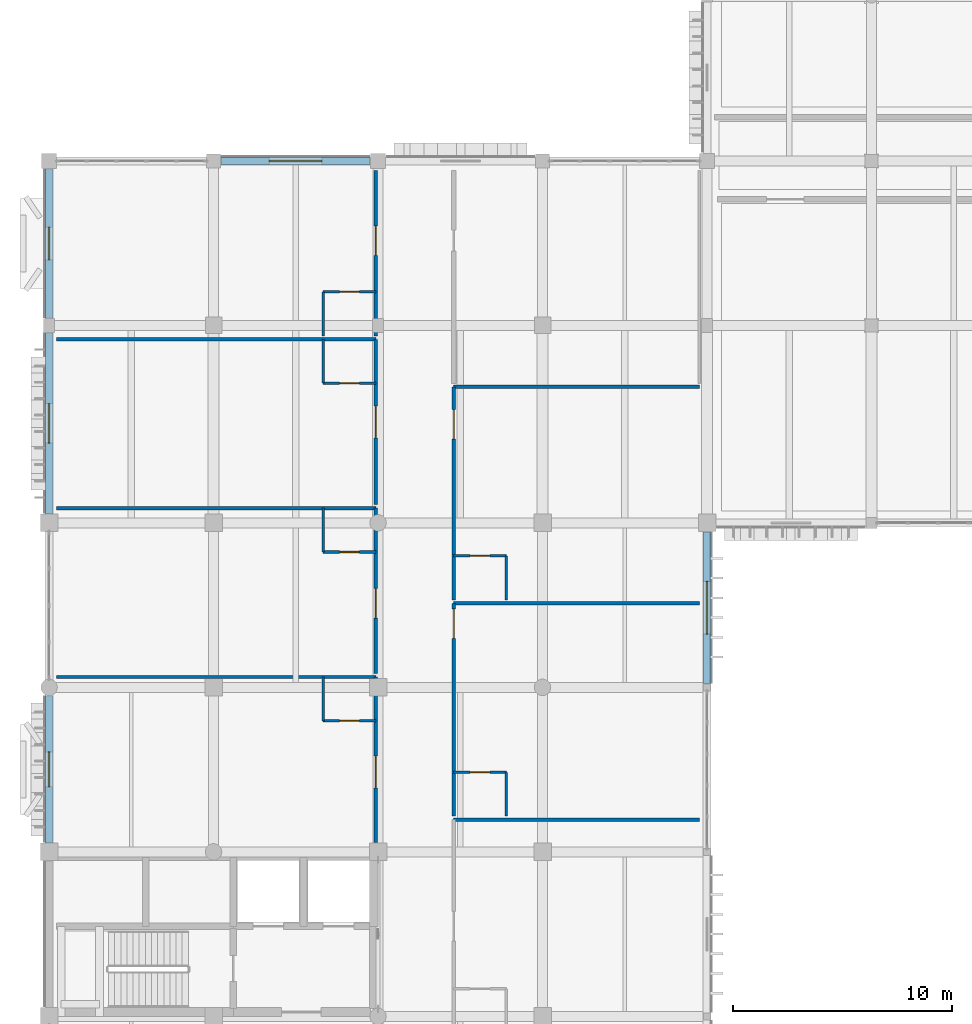
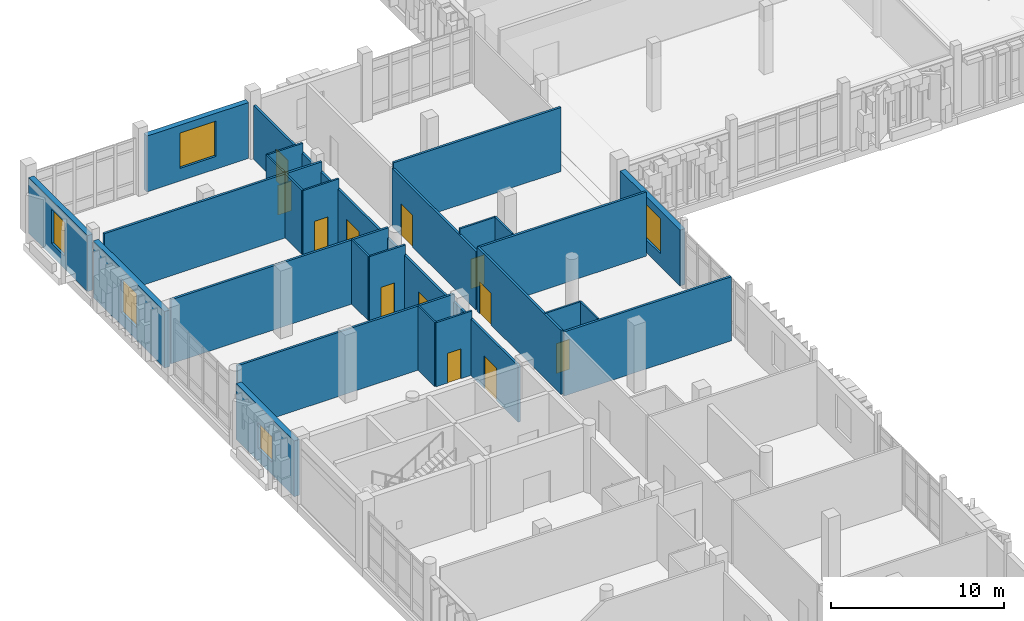
# One storey, part 103 of 131: 29 walls, 12 doors, 5 windows, 17 openings.
"""IFC4 building model written with IfcOpenShell, lengths in metres."""

from ifc_helpers import new_model, si_unit, direction, frame, frame_2d, origin, place, context, subcontext, project, spatial, rectangle, extrude, material, layer, layer_set, type_object, element, fill, save


model = new_model("IFC4")

# Units and contexts
model_context = context("Model", 3, precision=1e-05, world=origin(), true_north=direction((0.0, 1.0)))
body_context = subcontext(model_context, "Body", "Model", "MODEL_VIEW")
ifc_project = project(units=[si_unit("LENGTHUNIT", "METRE"), si_unit("AREAUNIT", "SQUARE_METRE"), si_unit("VOLUMEUNIT", "CUBIC_METRE"), si_unit("PLANEANGLEUNIT", "RADIAN"), si_unit("MASSUNIT", "GRAM", prefix="KILO")], contexts=[model_context])

# Site, building, storey
site_placement = place(None, origin())
site = spatial("IfcSite", under=ifc_project, at=site_placement, CompositionType="ELEMENT")
building_placement = place(site_placement, origin())
building = spatial("IfcBuilding", under=site, at=building_placement, Name="Dalvernix Boulevard General Hospital", CompositionType="ELEMENT")
storey_placement = place(building_placement, frame((0.0, 0.0, 9.300048828125)))
storey = spatial("IfcBuildingStorey", under=building, at=storey_placement, Name="L02", CompositionType="ELEMENT", Elevation=9.300048828125)

# Wall, opening, window
ifc_material_1 = material(Name="Pressed Catalan clay brick and insulated concrete cavity wall C35/45", Category="masonry")
ifc_layer_1 = layer(ifc_material_1, 0.35009765625)
ifc_layer_set_1 = layer_set([ifc_layer_1], Name="Pressed Catalan clay brick and insulated concrete cavity wall C35/45 (WAL-EW-01)")
wall_type_1 = type_object("IfcWallType", Name="WAL-EW-01", PredefinedType="STANDARD", material=ifc_layer_set_1)
wall_1_placement = place(storey_placement, frame((0.0, 61.909912109375, 0.0), z_axis=(0.0, 0.0, 1.0), x_axis=(0.0, 1.0, 0.0)))
wall_1 = element("IfcWall", 1, at=wall_1_placement, inside=storey, type_object=wall_type_1, Name="L02 Catalan brick external wall W 0-8", PredefinedType="STANDARD", context=body_context, shape_type="SweptSolid", body=[
    extrude(rectangle(XDim=6.705078125, YDim=0.35009765625, at=frame_2d((3.3525390625, 0.0))), origin(), (0.0, 0.0, 1.0), 3.949951171875),
])
opening_1_placement = place(wall_1_placement, frame((2.552490234375, 0.0, 0.89990234375)))
opening_1 = element("IfcOpeningElement", 2, at=opening_1_placement, cuts=wall_1, Name="Opening WN-15", PredefinedType="OPENING", context=body_context, shape_type="SweptSolid", body=[
    extrude(rectangle(XDim=1.60009765625, YDim=1.800048828125, at=frame_2d((0.800048828125, 0.89990234375))), frame((0.0, 0.18505859375, 0.0), z_axis=(0.0, -1.0, 0.0), x_axis=(1.0, 0.0, 0.0)), (0.0, 0.0, 1.0), 0.3701171875),
])
ifc_material_2 = material(Name="Thermally broken aluminium frame with solar-control double glazing", Category="aluminium")
window_type_1 = type_object("IfcWindowType", Name="WIN-WN-15", PartitioningType="SINGLE_PANEL", PredefinedType="WINDOW", material=ifc_material_2)
window_1_placement = place(opening_1_placement, origin())
window_1 = element("IfcWindow", 3, at=window_1_placement, inside=storey, type_object=window_type_1, Name="L02 clinical window WN-15 W 0-8", OverallHeight=1.800048828125, OverallWidth=1.60009765625, PartitioningType="SINGLE_PANEL", PredefinedType="WINDOW", context=body_context, shape_type="SweptSolid", body=[
    extrude(rectangle(XDim=1.60009765625, YDim=1.800048828125, at=frame_2d((0.800048828125, 0.89990234375))), frame((0.0, 0.030029296875, 0.0), z_axis=(0.0, -1.0, 0.0), x_axis=(1.0, 0.0, 0.0)), (0.0, 0.0, 1.0), 0.06005859375),
])
fill(opening_1, window_1)

wall_2_placement = place(storey_placement, frame((0.0, 76.909912109375, 0.0), z_axis=(0.0, 0.0, 1.0), x_axis=(0.0, 1.0, 0.0)))
wall_2 = element("IfcWall", 4, at=wall_2_placement, inside=storey, type_object=wall_type_1, Name="L02 Catalan brick external wall W 0-10", PredefinedType="STANDARD", context=body_context, shape_type="SweptSolid", body=[
    extrude(rectangle(XDim=8.255126953125, YDim=0.35009765625, at=frame_2d((4.12744140625, 0.0))), origin(), (0.0, 0.0, 1.0), 4.0),
])
opening_2_placement = place(wall_2_placement, frame((3.2275390625, 0.0, 0.89990234375)))
opening_2 = element("IfcOpeningElement", 5, at=opening_2_placement, cuts=wall_2, Name="Opening WN-01", PredefinedType="OPENING", context=body_context, shape_type="SweptSolid", body=[
    extrude(rectangle(XDim=1.800048828125, YDim=2.39990234375, at=frame_2d((0.89990234375, 1.199951171875))), frame((0.0, 0.18505859375, 0.0), z_axis=(0.0, -1.0, 0.0), x_axis=(1.0, 0.0, 0.0)), (0.0, 0.0, 1.0), 0.3701171875),
])
window_type_2 = type_object("IfcWindowType", Name="WIN-WN-01", PartitioningType="SINGLE_PANEL", PredefinedType="WINDOW", material=ifc_material_2)
window_2_placement = place(opening_2_placement, origin())
window_2 = element("IfcWindow", 6, at=window_2_placement, inside=storey, type_object=window_type_2, Name="L02 clinical window WN-01 W 0-10", OverallHeight=2.39990234375, OverallWidth=1.800048828125, PartitioningType="SINGLE_PANEL", PredefinedType="WINDOW", context=body_context, shape_type="SweptSolid", body=[
    extrude(rectangle(XDim=1.800048828125, YDim=2.39990234375, at=frame_2d((0.89990234375, 1.199951171875))), frame((0.0, 0.030029296875, 0.0), z_axis=(0.0, -1.0, 0.0), x_axis=(1.0, 0.0, 0.0)), (0.0, 0.0, 1.0), 0.06005859375),
])
fill(opening_2, window_2)

wall_3_placement = place(storey_placement, frame((0.0, 85.8349609375, 0.0), z_axis=(0.0, 0.0, 1.0), x_axis=(0.0, 1.0, 0.0)))
wall_3 = element("IfcWall", 7, at=wall_3_placement, inside=storey, type_object=wall_type_1, Name="L02 Catalan brick external wall W 0-11", PredefinedType="STANDARD", context=body_context, shape_type="SweptSolid", body=[
    extrude(rectangle(XDim=6.804931640625, YDim=0.35009765625, at=frame_2d((3.40234375, 0.0))), origin(), (0.0, 0.0, 1.0), 3.949951171875),
])
opening_3_placement = place(wall_3_placement, frame((2.652587890625, 0.0, 0.89990234375)))
opening_3 = element("IfcOpeningElement", 8, at=opening_3_placement, cuts=wall_3, Name="Opening WN-02", PredefinedType="OPENING", context=body_context, shape_type="SweptSolid", body=[
    extrude(rectangle(XDim=1.5, YDim=2.39990234375, at=frame_2d((0.75, 1.199951171875))), frame((0.0, 0.18505859375, 0.0), z_axis=(0.0, -1.0, 0.0), x_axis=(1.0, 0.0, 0.0)), (0.0, 0.0, 1.0), 0.3701171875),
])
window_type_3 = type_object("IfcWindowType", Name="WIN-WN-02", PartitioningType="SINGLE_PANEL", PredefinedType="WINDOW", material=ifc_material_2)
window_3_placement = place(opening_3_placement, origin())
window_3 = element("IfcWindow", 9, at=window_3_placement, inside=storey, type_object=window_type_3, Name="L02 clinical window WN-02 W 0-11", OverallHeight=2.39990234375, OverallWidth=1.5, PartitioningType="SINGLE_PANEL", PredefinedType="WINDOW", context=body_context, shape_type="SweptSolid", body=[
    extrude(rectangle(XDim=1.5, YDim=2.39990234375, at=frame_2d((0.75, 1.199951171875))), frame((0.0, 0.030029296875, 0.0), z_axis=(0.0, -1.0, 0.0), x_axis=(1.0, 0.0, 0.0)), (0.0, 0.0, 1.0), 0.06005859375),
])
fill(opening_3, window_3)

wall_4_placement = place(storey_placement, frame((7.8349609375, 93.0, 0.0), z_axis=(0.0, 0.0, 1.0), x_axis=(1.0, 0.0, 0.0)))
wall_4 = element("IfcWall", 10, at=wall_4_placement, inside=storey, type_object=wall_type_1, Name="L02 Catalan brick external wall N 1-12", PredefinedType="STANDARD", context=body_context, shape_type="SweptSolid", body=[
    extrude(rectangle(XDim=6.804931640625, YDim=0.35009765625, at=frame_2d((3.40234375, 0.0))), origin(), (0.0, 0.0, 1.0), 3.949951171875),
])
opening_4_placement = place(wall_4_placement, frame((2.202392578125, 0.0, 0.89990234375)))
opening_4 = element("IfcOpeningElement", 11, at=opening_4_placement, cuts=wall_4, Name="Opening WN-04", PredefinedType="OPENING", context=body_context, shape_type="SweptSolid", body=[
    extrude(rectangle(XDim=2.39990234375, YDim=2.5, at=frame_2d((1.199951171875, 1.25))), frame((0.0, 0.18505859375, 0.0), z_axis=(0.0, -1.0, 0.0), x_axis=(1.0, 0.0, 0.0)), (0.0, 0.0, 1.0), 0.3701171875),
])
window_type_4 = type_object("IfcWindowType", Name="WIN-WN-04", PartitioningType="SINGLE_PANEL", PredefinedType="WINDOW", material=ifc_material_2)
window_4_placement = place(opening_4_placement, origin())
window_4 = element("IfcWindow", 12, at=window_4_placement, inside=storey, type_object=window_type_4, Name="L02 clinical window WN-04 N 1-12", OverallHeight=2.5, OverallWidth=2.39990234375, PartitioningType="SINGLE_PANEL", PredefinedType="WINDOW", context=body_context, shape_type="SweptSolid", body=[
    extrude(rectangle(XDim=2.39990234375, YDim=2.5, at=frame_2d((1.199951171875, 1.25))), frame((0.0, 0.030029296875, 0.0), z_axis=(0.0, -1.0, 0.0), x_axis=(1.0, 0.0, 0.0)), (0.0, 0.0, 1.0), 0.06005859375),
])
fill(opening_4, window_4)

wall_5_placement = place(storey_placement, frame((30.0, 76.090087890625, 0.0), z_axis=(0.0, 0.0, 1.0), x_axis=(0.0, -1.0, 0.0)))
wall_5 = element("IfcWall", 13, at=wall_5_placement, inside=storey, type_object=wall_type_1, Name="L02 Catalan brick external wall E 4-9", PredefinedType="STANDARD", context=body_context, shape_type="SweptSolid", body=[
    extrude(rectangle(XDim=6.920166015625, YDim=0.35009765625, at=frame_2d((3.4599609375, 0.0))), origin(), (0.0, 0.0, 1.0), 3.949951171875),
])
opening_5_placement = place(wall_5_placement, frame((2.260009765625, 0.0, 0.89990234375)))
opening_5 = element("IfcOpeningElement", 14, at=opening_5_placement, cuts=wall_5, Name="Opening WN-04", PredefinedType="OPENING", context=body_context, shape_type="SweptSolid", body=[
    extrude(rectangle(XDim=2.39990234375, YDim=2.5, at=frame_2d((1.199951171875, 1.25))), frame((0.0, 0.18505859375, 0.0), z_axis=(0.0, -1.0, 0.0), x_axis=(1.0, 0.0, 0.0)), (0.0, 0.0, 1.0), 0.3701171875),
])
window_5_placement = place(opening_5_placement, origin())
window_5 = element("IfcWindow", 15, at=window_5_placement, inside=storey, type_object=window_type_4, Name="L02 clinical window WN-04 E 4-9", OverallHeight=2.5, OverallWidth=2.39990234375, PartitioningType="SINGLE_PANEL", PredefinedType="WINDOW", context=body_context, shape_type="SweptSolid", body=[
    extrude(rectangle(XDim=2.39990234375, YDim=2.5, at=frame_2d((1.199951171875, 1.25))), frame((0.0, 0.030029296875, 0.0), z_axis=(0.0, -1.0, 0.0), x_axis=(1.0, 0.0, 0.0)), (0.0, 0.0, 1.0), 0.06005859375),
])
fill(opening_5, window_5)

# Wall, opening, door
ifc_material_3 = material(Name="Acoustic double-stud gypsum inpatient partition")
ifc_layer_2 = layer(ifc_material_3, 0.14990234375)
ifc_layer_set_2 = layer_set([ifc_layer_2], Name="Acoustic double-stud gypsum inpatient partition (WAL-IW-04)")
wall_type_2 = type_object("IfcWallType", Name="WAL-IW-04", PredefinedType="PARTITIONING", material=ifc_layer_set_2)
wall_6_placement = place(storey_placement, frame((14.89990234375, 61.929931640625, 0.0), z_axis=(0.0, 0.0, 1.0), x_axis=(0.0, 1.0, 0.0)))
wall_6 = element("IfcWall", 16, at=wall_6_placement, inside=storey, type_object=wall_type_2, Name="L02 Four Bed Observation Ward L02-W07 corridor wall", PredefinedType="PARTITIONING", context=body_context, shape_type="SweptSolid", body=[
    extrude(rectangle(XDim=7.5400390625, YDim=0.14990234375, at=frame_2d((3.77001953125, 0.0))), origin(), (0.0, 0.0, 1.0), 3.98486328125),
])
opening_6_placement = place(wall_6_placement, frame((2.486083984375, 0.0, 0.0)))
opening_6 = element("IfcOpeningElement", 17, at=opening_6_placement, cuts=wall_6, Name="Opening ID-02", PredefinedType="OPENING", context=body_context, shape_type="SweptSolid", body=[
    extrude(rectangle(XDim=1.449951171875, YDim=2.300048828125, at=frame_2d((0.72509765625, 1.14990234375))), frame((0.0, 0.0849609375, 0.0), z_axis=(0.0, -1.0, 0.0), x_axis=(1.0, 0.0, 0.0)), (0.0, 0.0, 1.0), 0.169921875),
])
ifc_material_4 = material(Name="Hospital laminate acoustic timber and steel frame", Category="steel")
door_type_1 = type_object("IfcDoorType", Name="DR-ID-02", OperationType="NOTDEFINED", PredefinedType="DOOR", material=ifc_material_4)
door_1_placement = place(opening_6_placement, origin())
door_1 = element("IfcDoor", 18, at=door_1_placement, inside=storey, type_object=door_type_1, Name="L02 Four Bed Observation Ward L02-W07 door", OperationType="SINGLE_SWING_LEFT", OverallHeight=2.300048828125, OverallWidth=1.449951171875, PredefinedType="DOOR", context=body_context, shape_type="SweptSolid", body=[
    extrude(rectangle(XDim=1.449951171875, YDim=2.300048828125, at=frame_2d((0.72509765625, 1.14990234375))), frame((0.0, 0.02490234375, 0.0), z_axis=(0.0, -1.0, 0.0), x_axis=(1.0, 0.0, 0.0)), (0.0, 0.0, 1.0), 0.050048828125),
])
fill(opening_6, door_1)

wall_7_placement = place(storey_placement, frame((14.89990234375, 69.6298828125, 0.0), z_axis=(0.0, 0.0, 1.0), x_axis=(0.0, 1.0, 0.0)))
wall_7 = element("IfcWall", 19, at=wall_7_placement, inside=storey, type_object=wall_type_2, Name="L02 Acute Observation Patient Room L02-W08 corridor wall", PredefinedType="PARTITIONING", context=body_context, shape_type="SweptSolid", body=[
    extrude(rectangle(XDim=7.5400390625, YDim=0.14990234375, at=frame_2d((3.77001953125, 0.0))), origin(), (0.0, 0.0, 1.0), 3.8349609375),
])
opening_7_placement = place(wall_7_placement, frame((2.52587890625, 0.0, 0.0)))
opening_7 = element("IfcOpeningElement", 20, at=opening_7_placement, cuts=wall_7, Name="Opening ID-01", PredefinedType="OPENING", context=body_context, shape_type="SweptSolid", body=[
    extrude(rectangle(XDim=1.35009765625, YDim=2.25, at=frame_2d((0.675048828125, 1.125))), frame((0.0, 0.0849609375, 0.0), z_axis=(0.0, -1.0, 0.0), x_axis=(1.0, 0.0, 0.0)), (0.0, 0.0, 1.0), 0.169921875),
])
door_type_2 = type_object("IfcDoorType", Name="DR-ID-01", OperationType="NOTDEFINED", PredefinedType="DOOR", material=ifc_material_4)
door_2_placement = place(opening_7_placement, origin())
door_2 = element("IfcDoor", 21, at=door_2_placement, inside=storey, type_object=door_type_2, Name="L02 Acute Observation Patient Room L02-W08 door", OperationType="SINGLE_SWING_LEFT", OverallHeight=2.25, OverallWidth=1.35009765625, PredefinedType="DOOR", context=body_context, shape_type="SweptSolid", body=[
    extrude(rectangle(XDim=1.35009765625, YDim=2.25, at=frame_2d((0.675048828125, 1.125))), frame((0.0, 0.02490234375, 0.0), z_axis=(0.0, -1.0, 0.0), x_axis=(1.0, 0.0, 0.0)), (0.0, 0.0, 1.0), 0.050048828125),
])
fill(opening_7, door_2)

wall_8_placement = place(storey_placement, frame((14.89990234375, 77.330078125, 0.0), z_axis=(0.0, 0.0, 1.0), x_axis=(0.0, 1.0, 0.0)))
wall_8 = element("IfcWall", 22, at=wall_8_placement, inside=storey, type_object=wall_type_2, Name="L02 Four Bed Observation Ward L02-W09 corridor wall", PredefinedType="PARTITIONING", context=body_context, shape_type="SweptSolid", body=[
    extrude(rectangle(XDim=7.5400390625, YDim=0.14990234375, at=frame_2d((3.77001953125, 0.0))), origin(), (0.0, 0.0, 1.0), 3.8349609375),
])
opening_8_placement = place(wall_8_placement, frame((3.044921875, 0.0, 0.0)))
opening_8 = element("IfcOpeningElement", 23, at=opening_8_placement, cuts=wall_8, Name="Opening ID-02", PredefinedType="OPENING", context=body_context, shape_type="SweptSolid", body=[
    extrude(rectangle(XDim=1.449951171875, YDim=2.300048828125, at=frame_2d((0.72509765625, 1.14990234375))), frame((0.0, 0.0849609375, 0.0), z_axis=(0.0, -1.0, 0.0), x_axis=(1.0, 0.0, 0.0)), (0.0, 0.0, 1.0), 0.169921875),
])
door_3_placement = place(opening_8_placement, origin())
door_3 = element("IfcDoor", 24, at=door_3_placement, inside=storey, type_object=door_type_1, Name="L02 Four Bed Observation Ward L02-W09 door", OperationType="SINGLE_SWING_LEFT", OverallHeight=2.300048828125, OverallWidth=1.449951171875, PredefinedType="DOOR", context=body_context, shape_type="SweptSolid", body=[
    extrude(rectangle(XDim=1.449951171875, YDim=2.300048828125, at=frame_2d((0.72509765625, 1.14990234375))), frame((0.0, 0.02490234375, 0.0), z_axis=(0.0, -1.0, 0.0), x_axis=(1.0, 0.0, 0.0)), (0.0, 0.0, 1.0), 0.050048828125),
])
fill(opening_8, door_3)

wall_9_placement = place(storey_placement, frame((14.89990234375, 85.030029296875, 0.0), z_axis=(0.0, 0.0, 1.0), x_axis=(0.0, 1.0, 0.0)))
wall_9 = element("IfcWall", 25, at=wall_9_placement, inside=storey, type_object=wall_type_2, Name="L02 Acute Observation Patient Room L02-W10 corridor wall", PredefinedType="PARTITIONING", context=body_context, shape_type="SweptSolid", body=[
    extrude(rectangle(XDim=7.5400390625, YDim=0.14990234375, at=frame_2d((3.77001953125, 0.0))), origin(), (0.0, 0.0, 1.0), 3.8349609375),
])
opening_9_placement = place(wall_9_placement, frame((3.6640625, 0.0, 0.0)))
opening_9 = element("IfcOpeningElement", 26, at=opening_9_placement, cuts=wall_9, Name="Opening ID-01", PredefinedType="OPENING", context=body_context, shape_type="SweptSolid", body=[
    extrude(rectangle(XDim=1.35009765625, YDim=2.25, at=frame_2d((0.675048828125, 1.125))), frame((0.0, 0.0849609375, 0.0), z_axis=(0.0, -1.0, 0.0), x_axis=(1.0, 0.0, 0.0)), (0.0, 0.0, 1.0), 0.169921875),
])
door_4_placement = place(opening_9_placement, origin())
door_4 = element("IfcDoor", 27, at=door_4_placement, inside=storey, type_object=door_type_2, Name="L02 Acute Observation Patient Room L02-W10 door", OperationType="SINGLE_SWING_LEFT", OverallHeight=2.25, OverallWidth=1.35009765625, PredefinedType="DOOR", context=body_context, shape_type="SweptSolid", body=[
    extrude(rectangle(XDim=1.35009765625, YDim=2.25, at=frame_2d((0.675048828125, 1.125))), frame((0.0, 0.02490234375, 0.0), z_axis=(0.0, -1.0, 0.0), x_axis=(1.0, 0.0, 0.0)), (0.0, 0.0, 1.0), 0.050048828125),
])
fill(opening_9, door_4)

wall_10_placement = place(storey_placement, frame((18.449951171875, 72.83251953125, 0.0), z_axis=(0.0, 0.0, 1.0), x_axis=(0.0, -1.0, 0.0)))
wall_10 = element("IfcWall", 28, at=wall_10_placement, inside=storey, type_object=wall_type_2, Name="L02 Single Patient Room L02-E05 corridor wall", PredefinedType="PARTITIONING", context=body_context, shape_type="SweptSolid", body=[
    extrude(rectangle(XDim=9.708740234375, YDim=0.14990234375, at=frame_2d((4.8544921875, 0.0))), origin(), (0.0, 0.0, 1.0), 4.534912109375),
])
opening_10_placement = place(wall_10_placement, frame((0.25, 0.0, 0.0)))
opening_10 = element("IfcOpeningElement", 29, at=opening_10_placement, cuts=wall_10, Name="Opening ID-01", PredefinedType="OPENING", context=body_context, shape_type="SweptSolid", body=[
    extrude(rectangle(XDim=1.35009765625, YDim=2.25, at=frame_2d((0.675048828125, 1.125))), frame((0.0, 0.0849609375, 0.0), z_axis=(0.0, -1.0, 0.0), x_axis=(1.0, 0.0, 0.0)), (0.0, 0.0, 1.0), 0.169921875),
])
door_5_placement = place(opening_10_placement, origin())
door_5 = element("IfcDoor", 30, at=door_5_placement, inside=storey, type_object=door_type_2, Name="L02 Single Patient Room L02-E05 door", OperationType="SINGLE_SWING_RIGHT", OverallHeight=2.25, OverallWidth=1.35009765625, PredefinedType="DOOR", context=body_context, shape_type="SweptSolid", body=[
    extrude(rectangle(XDim=1.35009765625, YDim=2.25, at=frame_2d((0.675048828125, 1.125))), frame((0.0, 0.02490234375, 0.0), z_axis=(0.0, -1.0, 0.0), x_axis=(1.0, 0.0, 0.0)), (0.0, 0.0, 1.0), 0.050048828125),
])
fill(opening_10, door_5)

wall_11_placement = place(storey_placement, frame((18.449951171875, 82.701416015625, 0.0), z_axis=(0.0, 0.0, 1.0), x_axis=(0.0, -1.0, 0.0)))
wall_11 = element("IfcWall", 31, at=wall_11_placement, inside=storey, type_object=wall_type_2, Name="L02 Single Patient Room L02-E06 corridor wall", PredefinedType="PARTITIONING", context=body_context, shape_type="SweptSolid", body=[
    extrude(rectangle(XDim=9.708984375, YDim=0.14990234375, at=frame_2d((4.8544921875, 0.0))), origin(), (0.0, 0.0, 1.0), 4.135009765625),
])
opening_11_placement = place(wall_11_placement, frame((1.035888671875, 0.0, 0.0)))
opening_11 = element("IfcOpeningElement", 32, at=opening_11_placement, cuts=wall_11, Name="Opening ID-01", PredefinedType="OPENING", context=body_context, shape_type="SweptSolid", body=[
    extrude(rectangle(XDim=1.35009765625, YDim=2.25, at=frame_2d((0.675048828125, 1.125))), frame((0.0, 0.0849609375, 0.0), z_axis=(0.0, -1.0, 0.0), x_axis=(1.0, 0.0, 0.0)), (0.0, 0.0, 1.0), 0.169921875),
])
door_6_placement = place(opening_11_placement, origin())
door_6 = element("IfcDoor", 33, at=door_6_placement, inside=storey, type_object=door_type_2, Name="L02 Single Patient Room L02-E06 door", OperationType="SINGLE_SWING_RIGHT", OverallHeight=2.25, OverallWidth=1.35009765625, PredefinedType="DOOR", context=body_context, shape_type="SweptSolid", body=[
    extrude(rectangle(XDim=1.35009765625, YDim=2.25, at=frame_2d((0.675048828125, 1.125))), frame((0.0, 0.02490234375, 0.0), z_axis=(0.0, -1.0, 0.0), x_axis=(1.0, 0.0, 0.0)), (0.0, 0.0, 1.0), 0.050048828125),
])
fill(opening_11, door_6)

# Walls
for number, where, z_axis, x_axis, name in (
    (34, (0.35009765625, 69.469970703125, 0.0), (0.0, 0.0, 1.0), (1.0, 0.0, 0.0), "L02 Four Bed Observation Ward L02-W07 partition"),
    (35, (0.35009765625, 77.169921875, 0.0), (0.0, 0.0, 1.0), (1.0, 0.0, 0.0), "L02 Acute Observation Patient Room L02-W08 partition"),
    (36, (0.35009765625, 84.8701171875, 0.0), (0.0, 0.0, 1.0), (1.0, 0.0, 0.0), "L02 Four Bed Observation Ward L02-W09 partition"),
):
    element("IfcWall", number, at=place(storey_placement, frame(where, z_axis=z_axis, x_axis=x_axis)), inside=storey, type_object=wall_type_2, Name=name, PredefinedType="PARTITIONING", context=body_context, shape_type="SweptSolid", body=[
        extrude(rectangle(XDim=14.5498046875, YDim=0.14990234375, at=frame_2d((7.27490234375, 0.0))), origin(), (0.0, 0.0, 1.0), 4.534912109375),
    ])
for number, where, z_axis, x_axis, name in (
    (37, (18.449951171875, 62.9638671875, 0.0), (0.0, 0.0, 1.0), (1.0, 0.0, 0.0), "L02 Single Patient Room L02-E04 partition"),
    (38, (18.449951171875, 72.83251953125, 0.0), (0.0, 0.0, 1.0), (1.0, 0.0, 0.0), "L02 Single Patient Room L02-E05 partition"),
    (39, (18.449951171875, 82.701416015625, 0.0), (0.0, 0.0, 1.0), (1.0, 0.0, 0.0), "L02 Single Patient Room L02-E06 partition"),
):
    element("IfcWall", number, at=place(storey_placement, frame(where, z_axis=z_axis, x_axis=x_axis)), inside=storey, type_object=wall_type_2, Name=name, PredefinedType="PARTITIONING", context=body_context, shape_type="SweptSolid", body=[
        extrude(rectangle(XDim=11.199951171875, YDim=0.14990234375, at=frame_2d((5.60009765625, 0.0))), origin(), (0.0, 0.0, 1.0), 4.534912109375),
    ])

# Wall, opening, door
ifc_material_5 = material(Name="Moisture-resistant en-suite bathroom partition")
ifc_layer_3 = layer(ifc_material_5, 0.1201171875)
ifc_layer_set_3 = layer_set([ifc_layer_3], Name="Moisture-resistant en-suite bathroom partition (WAL-IW-05)")
wall_type_3 = type_object("IfcWallType", Name="WAL-IW-05", PredefinedType="PARTITIONING", material=ifc_layer_set_3)
wall_12_placement = place(storey_placement, frame((12.5, 67.469970703125, 0.0), z_axis=(0.0, 0.0, 1.0), x_axis=(1.0, 0.0, 0.0)))
wall_12 = element("IfcWall", 40, at=wall_12_placement, inside=storey, type_object=wall_type_3, Name="L02 en-suite bathroom door wall", PredefinedType="PARTITIONING", context=body_context, shape_type="SweptSolid", body=[
    extrude(rectangle(XDim=2.39990234375, YDim=0.1201171875, at=frame_2d((1.199951171875, 0.0))), origin(), (0.0, 0.0, 1.0), 4.534912109375),
])
opening_12_placement = place(wall_12_placement, frame((0.75, 0.0, 0.0)))
opening_12 = element("IfcOpeningElement", 41, at=opening_12_placement, cuts=wall_12, Name="Opening ID-05", PredefinedType="OPENING", context=body_context, shape_type="SweptSolid", body=[
    extrude(rectangle(XDim=0.89990234375, YDim=2.10009765625, at=frame_2d((0.449951171875, 1.050048828125))), frame((0.0, 0.070068359375, 0.0), z_axis=(0.0, -1.0, 0.0), x_axis=(1.0, 0.0, 0.0)), (0.0, 0.0, 1.0), 0.14013671875),
])
door_type_3 = type_object("IfcDoorType", Name="DR-ID-05", OperationType="NOTDEFINED", PredefinedType="DOOR", material=ifc_material_4)
door_7_placement = place(opening_12_placement, origin())
door_7 = element("IfcDoor", 42, at=door_7_placement, inside=storey, type_object=door_type_3, Name="L02 L02-WRD-W07 en-suite bathroom door", OperationType="SINGLE_SWING_RIGHT", OverallHeight=2.10009765625, OverallWidth=0.89990234375, PredefinedType="DOOR", context=body_context, shape_type="SweptSolid", body=[
    extrude(rectangle(XDim=0.89990234375, YDim=2.10009765625, at=frame_2d((0.449951171875, 1.050048828125))), frame((0.0, 0.02490234375, 0.0), z_axis=(0.0, -1.0, 0.0), x_axis=(1.0, 0.0, 0.0)), (0.0, 0.0, 1.0), 0.050048828125),
])
fill(opening_12, door_7)

# Wall
wall_13_placement = place(storey_placement, frame((12.5, 67.469970703125, 0.0), z_axis=(0.0, 0.0, 1.0), x_axis=(0.0, 1.0, 0.0)))
element("IfcWall", 43, at=wall_13_placement, inside=storey, type_object=wall_type_3, Name="L02 en-suite bathroom side wall", PredefinedType="PARTITIONING", context=body_context, shape_type="SweptSolid", body=[
    extrude(rectangle(XDim=2.0, YDim=0.1201171875, at=frame_2d((1.0, 0.0))), origin(), (0.0, 0.0, 1.0), 4.534912109375),
])

# Wall, opening, door
wall_14_placement = place(storey_placement, frame((12.5, 75.169921875, 0.0), z_axis=(0.0, 0.0, 1.0), x_axis=(1.0, 0.0, 0.0)))
wall_14 = element("IfcWall", 44, at=wall_14_placement, inside=storey, type_object=wall_type_3, Name="L02 en-suite bathroom door wall", PredefinedType="PARTITIONING", context=body_context, shape_type="SweptSolid", body=[
    extrude(rectangle(XDim=2.39990234375, YDim=0.1201171875, at=frame_2d((1.199951171875, 0.0))), origin(), (0.0, 0.0, 1.0), 4.534912109375),
])
opening_13_placement = place(wall_14_placement, frame((0.75, 0.0, 0.0)))
opening_13 = element("IfcOpeningElement", 45, at=opening_13_placement, cuts=wall_14, Name="Opening ID-05", PredefinedType="OPENING", context=body_context, shape_type="SweptSolid", body=[
    extrude(rectangle(XDim=0.89990234375, YDim=2.10009765625, at=frame_2d((0.449951171875, 1.050048828125))), frame((0.0, 0.070068359375, 0.0), z_axis=(0.0, -1.0, 0.0), x_axis=(1.0, 0.0, 0.0)), (0.0, 0.0, 1.0), 0.14013671875),
])
door_8_placement = place(opening_13_placement, origin())
door_8 = element("IfcDoor", 46, at=door_8_placement, inside=storey, type_object=door_type_3, Name="L02 L02-WRD-W08 en-suite bathroom door", OperationType="SINGLE_SWING_RIGHT", OverallHeight=2.10009765625, OverallWidth=0.89990234375, PredefinedType="DOOR", context=body_context, shape_type="SweptSolid", body=[
    extrude(rectangle(XDim=0.89990234375, YDim=2.10009765625, at=frame_2d((0.449951171875, 1.050048828125))), frame((0.0, 0.02490234375, 0.0), z_axis=(0.0, -1.0, 0.0), x_axis=(1.0, 0.0, 0.0)), (0.0, 0.0, 1.0), 0.050048828125),
])
fill(opening_13, door_8)

# Wall
wall_15_placement = place(storey_placement, frame((12.5, 75.169921875, 0.0), z_axis=(0.0, 0.0, 1.0), x_axis=(0.0, 1.0, 0.0)))
element("IfcWall", 47, at=wall_15_placement, inside=storey, type_object=wall_type_3, Name="L02 en-suite bathroom side wall", PredefinedType="PARTITIONING", context=body_context, shape_type="SweptSolid", body=[
    extrude(rectangle(XDim=2.0, YDim=0.1201171875, at=frame_2d((1.0, 0.0))), origin(), (0.0, 0.0, 1.0), 4.534912109375),
])

# Wall, opening, door
wall_16_placement = place(storey_placement, frame((12.5, 82.8701171875, 0.0), z_axis=(0.0, 0.0, 1.0), x_axis=(1.0, 0.0, 0.0)))
wall_16 = element("IfcWall", 48, at=wall_16_placement, inside=storey, type_object=wall_type_3, Name="L02 en-suite bathroom door wall", PredefinedType="PARTITIONING", context=body_context, shape_type="SweptSolid", body=[
    extrude(rectangle(XDim=2.39990234375, YDim=0.1201171875, at=frame_2d((1.199951171875, 0.0))), origin(), (0.0, 0.0, 1.0), 4.534912109375),
])
opening_14_placement = place(wall_16_placement, frame((0.75, 0.0, 0.0)))
opening_14 = element("IfcOpeningElement", 49, at=opening_14_placement, cuts=wall_16, Name="Opening ID-05", PredefinedType="OPENING", context=body_context, shape_type="SweptSolid", body=[
    extrude(rectangle(XDim=0.89990234375, YDim=2.10009765625, at=frame_2d((0.449951171875, 1.050048828125))), frame((0.0, 0.070068359375, 0.0), z_axis=(0.0, -1.0, 0.0), x_axis=(1.0, 0.0, 0.0)), (0.0, 0.0, 1.0), 0.14013671875),
])
door_9_placement = place(opening_14_placement, origin())
door_9 = element("IfcDoor", 50, at=door_9_placement, inside=storey, type_object=door_type_3, Name="L02 L02-WRD-W09 en-suite bathroom door", OperationType="SINGLE_SWING_RIGHT", OverallHeight=2.10009765625, OverallWidth=0.89990234375, PredefinedType="DOOR", context=body_context, shape_type="SweptSolid", body=[
    extrude(rectangle(XDim=0.89990234375, YDim=2.10009765625, at=frame_2d((0.449951171875, 1.050048828125))), frame((0.0, 0.02490234375, 0.0), z_axis=(0.0, -1.0, 0.0), x_axis=(1.0, 0.0, 0.0)), (0.0, 0.0, 1.0), 0.050048828125),
])
fill(opening_14, door_9)

# Wall
wall_17_placement = place(storey_placement, frame((12.5, 82.8701171875, 0.0), z_axis=(0.0, 0.0, 1.0), x_axis=(0.0, 1.0, 0.0)))
element("IfcWall", 51, at=wall_17_placement, inside=storey, type_object=wall_type_3, Name="L02 en-suite bathroom side wall", PredefinedType="PARTITIONING", context=body_context, shape_type="SweptSolid", body=[
    extrude(rectangle(XDim=2.0, YDim=0.1201171875, at=frame_2d((1.0, 0.0))), origin(), (0.0, 0.0, 1.0), 4.534912109375),
])

# Wall, opening, door
wall_18_placement = place(storey_placement, frame((14.89990234375, 87.030029296875, 0.0), z_axis=(0.0, 0.0, 1.0), x_axis=(-1.0, 0.0, 0.0)))
wall_18 = element("IfcWall", 52, at=wall_18_placement, inside=storey, type_object=wall_type_3, Name="L02 en-suite bathroom door wall", PredefinedType="PARTITIONING", context=body_context, shape_type="SweptSolid", body=[
    extrude(rectangle(XDim=2.39990234375, YDim=0.1201171875, at=frame_2d((1.199951171875, 0.0))), origin(), (0.0, 0.0, 1.0), 4.534912109375),
])
opening_15_placement = place(wall_18_placement, frame((0.75, 0.0, 0.0)))
opening_15 = element("IfcOpeningElement", 53, at=opening_15_placement, cuts=wall_18, Name="Opening ID-05", PredefinedType="OPENING", context=body_context, shape_type="SweptSolid", body=[
    extrude(rectangle(XDim=0.89990234375, YDim=2.10009765625, at=frame_2d((0.449951171875, 1.050048828125))), frame((0.0, 0.070068359375, 0.0), z_axis=(0.0, -1.0, 0.0), x_axis=(1.0, 0.0, 0.0)), (0.0, 0.0, 1.0), 0.14013671875),
])
door_10_placement = place(opening_15_placement, origin())
door_10 = element("IfcDoor", 54, at=door_10_placement, inside=storey, type_object=door_type_3, Name="L02 L02-WRD-W10 en-suite bathroom door", OperationType="SINGLE_SWING_RIGHT", OverallHeight=2.10009765625, OverallWidth=0.89990234375, PredefinedType="DOOR", context=body_context, shape_type="SweptSolid", body=[
    extrude(rectangle(XDim=0.89990234375, YDim=2.10009765625, at=frame_2d((0.449951171875, 1.050048828125))), frame((0.0, 0.02490234375, 0.0), z_axis=(0.0, -1.0, 0.0), x_axis=(1.0, 0.0, 0.0)), (0.0, 0.0, 1.0), 0.050048828125),
])
fill(opening_15, door_10)

# Wall
wall_19_placement = place(storey_placement, frame((12.5, 85.030029296875, 0.0), z_axis=(0.0, 0.0, 1.0), x_axis=(0.0, 1.0, 0.0)))
element("IfcWall", 55, at=wall_19_placement, inside=storey, type_object=wall_type_3, Name="L02 en-suite bathroom side wall", PredefinedType="PARTITIONING", context=body_context, shape_type="SweptSolid", body=[
    extrude(rectangle(XDim=2.0, YDim=0.1201171875, at=frame_2d((1.0, 0.0))), origin(), (0.0, 0.0, 1.0), 4.534912109375),
])

# Wall, opening, door
wall_20_placement = place(storey_placement, frame((20.85009765625, 65.123779296875, 0.0), z_axis=(0.0, 0.0, 1.0), x_axis=(-1.0, 0.0, 0.0)))
wall_20 = element("IfcWall", 56, at=wall_20_placement, inside=storey, type_object=wall_type_3, Name="L02 en-suite bathroom door wall", PredefinedType="PARTITIONING", context=body_context, shape_type="SweptSolid", body=[
    extrude(rectangle(XDim=2.400146484375, YDim=0.1201171875, at=frame_2d((1.2001953125, 0.0))), origin(), (0.0, 0.0, 1.0), 4.534912109375),
])
opening_16_placement = place(wall_20_placement, frame((0.75, 0.0, 0.0)))
opening_16 = element("IfcOpeningElement", 57, at=opening_16_placement, cuts=wall_20, Name="Opening ID-05", PredefinedType="OPENING", context=body_context, shape_type="SweptSolid", body=[
    extrude(rectangle(XDim=0.89990234375, YDim=2.10009765625, at=frame_2d((0.449951171875, 1.050048828125))), frame((0.0, 0.070068359375, 0.0), z_axis=(0.0, -1.0, 0.0), x_axis=(1.0, 0.0, 0.0)), (0.0, 0.0, 1.0), 0.14013671875),
])
door_11_placement = place(opening_16_placement, origin())
door_11 = element("IfcDoor", 58, at=door_11_placement, inside=storey, type_object=door_type_3, Name="L02 L02-RM-E05 en-suite bathroom door", OperationType="SINGLE_SWING_LEFT", OverallHeight=2.10009765625, OverallWidth=0.89990234375, PredefinedType="DOOR", context=body_context, shape_type="SweptSolid", body=[
    extrude(rectangle(XDim=0.89990234375, YDim=2.10009765625, at=frame_2d((0.449951171875, 1.050048828125))), frame((0.0, 0.02490234375, 0.0), z_axis=(0.0, -1.0, 0.0), x_axis=(1.0, 0.0, 0.0)), (0.0, 0.0, 1.0), 0.050048828125),
])
fill(opening_16, door_11)

# Wall
wall_21_placement = place(storey_placement, frame((20.85009765625, 63.123779296875, 0.0), z_axis=(0.0, 0.0, 1.0), x_axis=(0.0, 1.0, 0.0)))
element("IfcWall", 59, at=wall_21_placement, inside=storey, type_object=wall_type_3, Name="L02 en-suite bathroom side wall", PredefinedType="PARTITIONING", context=body_context, shape_type="SweptSolid", body=[
    extrude(rectangle(XDim=2.0, YDim=0.1201171875, at=frame_2d((1.0, 0.0))), origin(), (0.0, 0.0, 1.0), 4.534912109375),
])

# Wall, opening, door
wall_22_placement = place(storey_placement, frame((20.85009765625, 74.992431640625, 0.0), z_axis=(0.0, 0.0, 1.0), x_axis=(-1.0, 0.0, 0.0)))
wall_22 = element("IfcWall", 60, at=wall_22_placement, inside=storey, type_object=wall_type_3, Name="L02 en-suite bathroom door wall", PredefinedType="PARTITIONING", context=body_context, shape_type="SweptSolid", body=[
    extrude(rectangle(XDim=2.400146484375, YDim=0.1201171875, at=frame_2d((1.2001953125, 0.0))), origin(), (0.0, 0.0, 1.0), 4.534912109375),
])
opening_17_placement = place(wall_22_placement, frame((0.75, 0.0, 0.0)))
opening_17 = element("IfcOpeningElement", 61, at=opening_17_placement, cuts=wall_22, Name="Opening ID-05", PredefinedType="OPENING", context=body_context, shape_type="SweptSolid", body=[
    extrude(rectangle(XDim=0.89990234375, YDim=2.10009765625, at=frame_2d((0.449951171875, 1.050048828125))), frame((0.0, 0.070068359375, 0.0), z_axis=(0.0, -1.0, 0.0), x_axis=(1.0, 0.0, 0.0)), (0.0, 0.0, 1.0), 0.14013671875),
])
door_12_placement = place(opening_17_placement, origin())
door_12 = element("IfcDoor", 62, at=door_12_placement, inside=storey, type_object=door_type_3, Name="L02 L02-RM-E06 en-suite bathroom door", OperationType="SINGLE_SWING_LEFT", OverallHeight=2.10009765625, OverallWidth=0.89990234375, PredefinedType="DOOR", context=body_context, shape_type="SweptSolid", body=[
    extrude(rectangle(XDim=0.89990234375, YDim=2.10009765625, at=frame_2d((0.449951171875, 1.050048828125))), frame((0.0, 0.02490234375, 0.0), z_axis=(0.0, -1.0, 0.0), x_axis=(1.0, 0.0, 0.0)), (0.0, 0.0, 1.0), 0.050048828125),
])
fill(opening_17, door_12)

# Wall
wall_23_placement = place(storey_placement, frame((20.85009765625, 72.992431640625, 0.0), z_axis=(0.0, 0.0, 1.0), x_axis=(0.0, 1.0, 0.0)))
element("IfcWall", 63, at=wall_23_placement, inside=storey, type_object=wall_type_3, Name="L02 en-suite bathroom side wall", PredefinedType="PARTITIONING", context=body_context, shape_type="SweptSolid", body=[
    extrude(rectangle(XDim=2.0, YDim=0.1201171875, at=frame_2d((1.0, 0.0))), origin(), (0.0, 0.0, 1.0), 4.534912109375),
])

save(model, "model.ifc")
